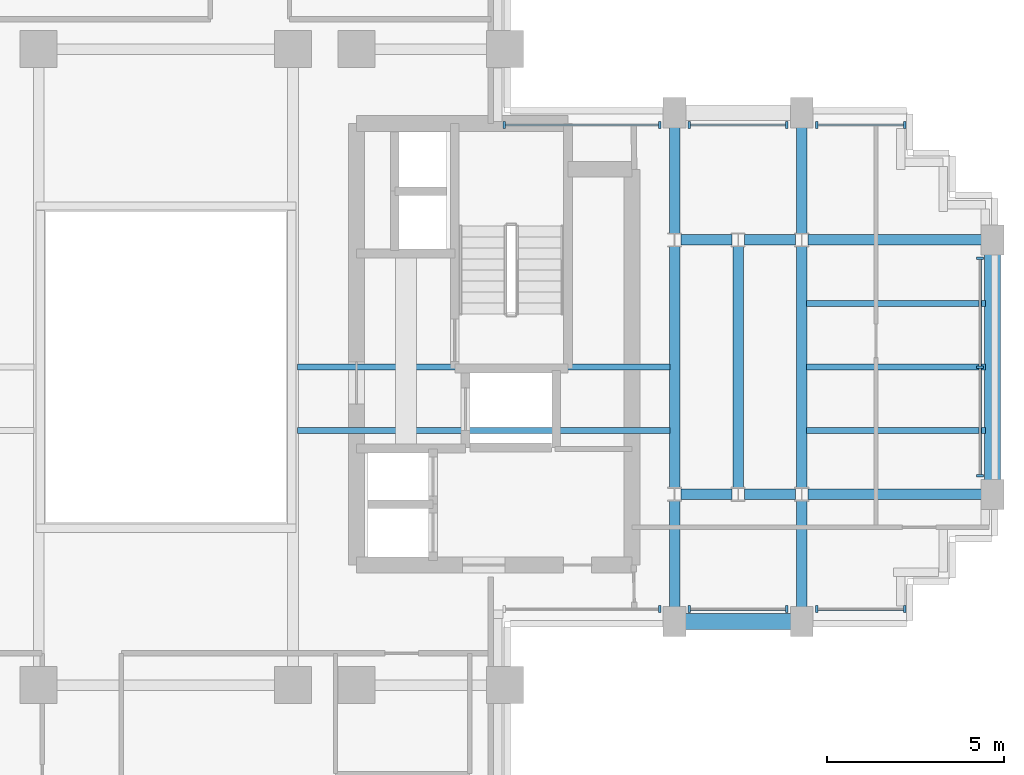
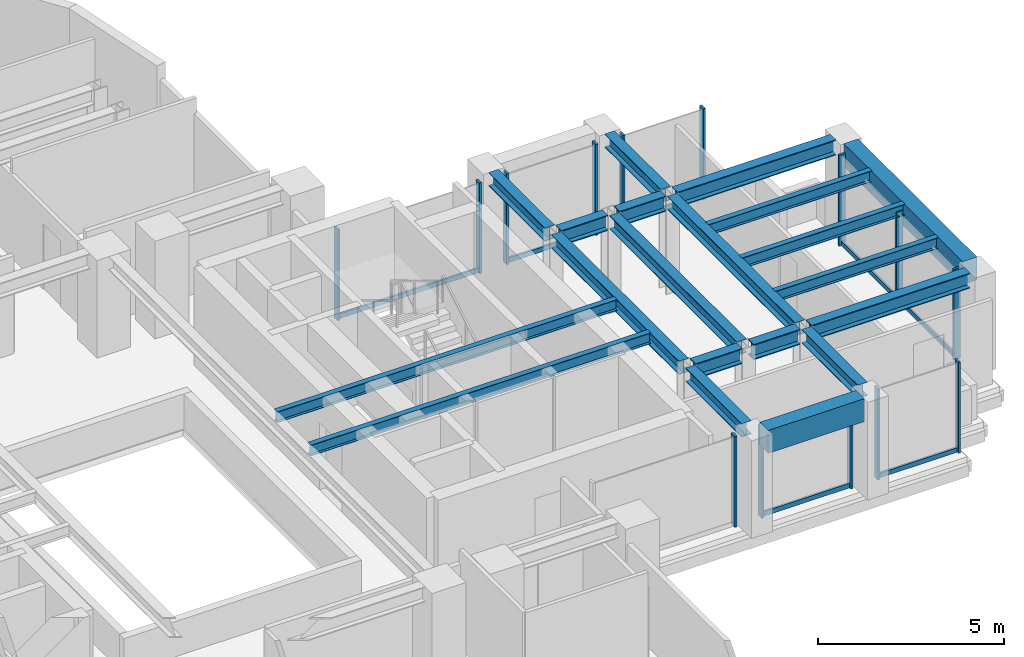
# One storey, part 5 of 14: 21 members, 20 beams, 7 elements without a shape of their own.
"""IFC4 building model written with IfcOpenShell, lengths in metres."""

from ifc_helpers import new_model, si_unit, direction, frame, origin, origin_2d, place, context, subcontext, project, spatial, rectangle, i_section, extrude, source, transform, mapped, material, material_profile, profile_set, type_object, element, aggregate, save


model = new_model("IFC4")

# Units and contexts
model_context = context("Model", 3, precision=1e-05, world=origin(), true_north=direction((0.0, 1.0)))
body_context = subcontext(model_context, "Body", "Model", "MODEL_VIEW")
ifc_project = project(units=[si_unit("LENGTHUNIT", "METRE"), si_unit("AREAUNIT", "SQUARE_METRE"), si_unit("VOLUMEUNIT", "CUBIC_METRE"), si_unit("PLANEANGLEUNIT", "RADIAN"), si_unit("MASSUNIT", "GRAM", prefix="KILO")], contexts=[model_context])

# Site, building, storey
site_placement = place(None, origin())
site = spatial("IfcSite", under=ifc_project, at=site_placement, CompositionType="ELEMENT")
building_placement = place(site_placement, origin())
building = spatial("IfcBuilding", under=site, at=building_placement, Name="Keilestroom Media Tower", CompositionType="ELEMENT")
storey_placement = place(building_placement, frame((0.0, 0.0, 110.800048828125)))
storey = spatial("IfcBuildingStorey", under=building, at=storey_placement, Name="L29", CompositionType="ELEMENT", Elevation=110.800048828125)

# Beams
ifc_material_1 = material(Name="Steel S355", Category="steel")
ifc_material_profile_1 = material_profile(ifc_material_1, i_section(OverallWidth=0.169921875, OverallDepth=0.360107421875, WebThickness=0.008056640625, FlangeThickness=0.0126953125, at=origin_2d()), Name="IPE 360")
ifc_profile_set_1 = profile_set([ifc_material_profile_1], Name="Steel S355")
beam_type_1 = type_object("IfcBeamType", Name="Secondary-Floor-Joist-IPE-360", PredefinedType="JOIST", material=ifc_profile_set_1)
shared_shape_1 = source(origin(), body_context, "Body", "SweptSolid", [
    extrude(i_section(OverallWidth=0.169921875, OverallDepth=0.360107421875, WebThickness=0.008056640625, FlangeThickness=0.0126953125, at=origin_2d()), origin(), (0.0, 0.0, 1.0), 10.5400390625),
])
for number, where, z_axis, x_axis, name in (
    (1, (3.72998046875, -1.800048828125, 3.02001953125), (1.0, 0.0, 0.0), (0.0, 1.0, 0.0), "L29 Beam BJ-5 JST-L29-074"),
    (2, (3.72998046875, 0.0, 3.02001953125), (1.0, 0.0, 0.0), (0.0, 1.0, 0.0), "L29 Beam BJ-5 JST-L29-079"),
):
    element("IfcBeam", number, at=place(storey_placement, frame(where, z_axis=z_axis, x_axis=x_axis)), inside=storey, type_object=beam_type_1, Name=name, PredefinedType="JOIST", context=body_context, shape_type="MappedRepresentation", body=[
        mapped(shared_shape_1, transform((0.0, 0.0, 0.0), x_axis=(1.0, 0.0, 0.0), y_axis=(0.0, 1.0, 0.0), z_axis=(0.0, 0.0, 1.0), scale=1.0)),
    ])
ifc_material_2 = material(Name="Precast concrete C40/50", Category="concrete")
ifc_material_profile_2 = material_profile(ifc_material_2, rectangle(XDim=0.449951171875, YDim=0.75, at=origin_2d()), Name="PC 450x750")
ifc_profile_set_2 = profile_set([ifc_material_profile_2], Name="Precast concrete C40/50")
beam_type_2 = type_object("IfcBeamType", Name="Perimeter-Spandrel-Beam-PC-450x750", PredefinedType="SPANDREL", material=ifc_profile_set_2)
shared_shape_2 = source(origin(), body_context, "Body", "SweptSolid", [
    extrude(rectangle(XDim=0.449951171875, YDim=0.75, at=origin_2d()), origin(), (0.0, 0.0, 1.0), 2.989990234375),
])
beam_1_placement = place(storey_placement, frame((14.705078125, -7.199951171875, 2.824951171875), z_axis=(1.0, 0.0, 0.0), x_axis=(0.0, 1.0, 0.0)))
element("IfcBeam", 3, at=beam_1_placement, inside=storey, type_object=beam_type_2, Name="L29 Beam SPB-1 BM-L29-EW-013", PredefinedType="SPANDREL", context=body_context, shape_type="MappedRepresentation", body=[
    mapped(shared_shape_2, transform((0.0, 0.0, 0.0), x_axis=(1.0, 0.0, 0.0), y_axis=(0.0, 1.0, 0.0), z_axis=(0.0, 0.0, 1.0), scale=1.0)),
])
ifc_material_profile_3 = material_profile(ifc_material_1, i_section(OverallWidth=0.300048828125, OverallDepth=0.5, WebThickness=0.012451171875, FlangeThickness=0.028076171875, at=origin_2d()), Name="HEB 500")
ifc_profile_set_3 = profile_set([ifc_material_profile_3], Name="Steel S355")
beam_type_3 = type_object("IfcBeamType", Name="Primary-Structural-Girder-HEB-500", PredefinedType="BEAM", material=ifc_profile_set_3)
shared_shape_3 = source(origin(), body_context, "Body", "SweptSolid", [
    extrude(i_section(OverallWidth=0.300048828125, OverallDepth=0.5, WebThickness=0.012451171875, FlangeThickness=0.028076171875, at=origin_2d()), origin(), (0.0, 0.0, 1.0), 4.91455078125),
])
for number, where, z_axis, x_axis, name in (
    (4, (18.180419921875, -3.60009765625, 2.949951171875), (1.0, 0.0, 0.0), (0.0, 1.0, 0.0), "L29 Beam BG-6 BM-L29-EW-019"),
    (5, (18.180419921875, 3.60009765625, 2.949951171875), (1.0, 0.0, 0.0), (0.0, 1.0, 0.0), "L29 Beam BG-6 BM-L29-EW-025"),
):
    element("IfcBeam", number, at=place(storey_placement, frame(where, z_axis=z_axis, x_axis=x_axis)), inside=storey, type_object=beam_type_3, Name=name, PredefinedType="BEAM", context=body_context, shape_type="MappedRepresentation", body=[
        mapped(shared_shape_3, transform((0.0, 0.0, 0.0), x_axis=(1.0, 0.0, 0.0), y_axis=(0.0, 1.0, 0.0), z_axis=(0.0, 0.0, 1.0), scale=1.0)),
    ])
shared_shape_4 = source(origin(), body_context, "Body", "SweptSolid", [
    extrude(i_section(OverallWidth=0.300048828125, OverallDepth=0.5, WebThickness=0.012451171875, FlangeThickness=0.028076171875, at=origin_2d()), origin(), (0.0, 0.0, 1.0), 1.43896484375),
])
for number, where, z_axis, x_axis, name in (
    (6, (14.58056640625, -3.60009765625, 2.949951171875), (1.0, 0.0, 0.0), (0.0, 1.0, 0.0), "L29 Beam BG-6 BM-L29-EW-017"),
    (7, (16.380615234375, -3.60009765625, 2.949951171875), (1.0, 0.0, 0.0), (0.0, 1.0, 0.0), "L29 Beam BG-6 BM-L29-EW-018"),
    (8, (14.58056640625, 3.60009765625, 2.949951171875), (1.0, 0.0, 0.0), (0.0, 1.0, 0.0), "L29 Beam BG-6 BM-L29-EW-023"),
    (9, (16.380615234375, 3.60009765625, 2.949951171875), (1.0, 0.0, 0.0), (0.0, 1.0, 0.0), "L29 Beam BG-6 BM-L29-EW-024"),
):
    element("IfcBeam", number, at=place(storey_placement, frame(where, z_axis=z_axis, x_axis=x_axis)), inside=storey, type_object=beam_type_3, Name=name, PredefinedType="BEAM", context=body_context, shape_type="MappedRepresentation", body=[
        mapped(shared_shape_4, transform((0.0, 0.0, 0.0), x_axis=(1.0, 0.0, 0.0), y_axis=(0.0, 1.0, 0.0), z_axis=(0.0, 0.0, 1.0), scale=1.0)),
    ])
shared_shape_5 = source(origin(), body_context, "Body", "SweptSolid", [
    extrude(rectangle(XDim=0.449951171875, YDim=0.75, at=origin_2d()), origin(), (0.0, 0.0, 1.0), 6.39013671875),
])
beam_2_placement = place(storey_placement, frame((23.39990234375, -3.195068359375, 2.824951171875), z_axis=(0.0, 1.0, 0.0), x_axis=(-1.0, 0.0, 0.0)))
element("IfcBeam", 10, at=beam_2_placement, inside=storey, type_object=beam_type_2, Name="L29 Beam SPB-1 BM-L29-NS-068", PredefinedType="SPANDREL", context=body_context, shape_type="MappedRepresentation", body=[
    mapped(shared_shape_5, transform((0.0, 0.0, 0.0), x_axis=(1.0, 0.0, 0.0), y_axis=(0.0, 1.0, 0.0), z_axis=(0.0, 0.0, 1.0), scale=1.0)),
])
shared_shape_6 = source(origin(), body_context, "Body", "SweptSolid", [
    extrude(i_section(OverallWidth=0.169921875, OverallDepth=0.360107421875, WebThickness=0.008056640625, FlangeThickness=0.0126953125, at=origin_2d()), origin(), (0.0, 0.0, 1.0), 5.065185546875),
])
for number, where, z_axis, x_axis, name in (
    (11, (18.1298828125, -1.800048828125, 3.02001953125), (1.0, 0.0, 0.0), (0.0, 1.0, 0.0), "L29 Beam BJ-5 JST-L29-075"),
    (12, (18.1298828125, 0.0, 3.02001953125), (1.0, 0.0, 0.0), (0.0, 1.0, 0.0), "L29 Beam BJ-5 JST-L29-080"),
    (13, (18.1298828125, 1.800048828125, 3.02001953125), (1.0, 0.0, 0.0), (0.0, 1.0, 0.0), "L29 Beam BJ-5 JST-L29-085"),
):
    element("IfcBeam", number, at=place(storey_placement, frame(where, z_axis=z_axis, x_axis=x_axis)), inside=storey, type_object=beam_type_1, Name=name, PredefinedType="JOIST", context=body_context, shape_type="MappedRepresentation", body=[
        mapped(shared_shape_6, transform((0.0, 0.0, 0.0), x_axis=(1.0, 0.0, 0.0), y_axis=(0.0, 1.0, 0.0), z_axis=(0.0, 0.0, 1.0), scale=1.0)),
    ])
ifc_material_profile_4 = material_profile(ifc_material_1, i_section(OverallWidth=0.300048828125, OverallDepth=0.43994140625, WebThickness=0.011474609375, FlangeThickness=0.02099609375, at=origin_2d()), Name="HEA 450")
ifc_profile_set_4 = profile_set([ifc_material_profile_4], Name="Steel S355")
beam_type_4 = type_object("IfcBeamType", Name="Primary-Structural-Girder-HEA-450", PredefinedType="BEAM", material=ifc_profile_set_4)
shared_shape_7 = source(origin(), body_context, "Body", "SweptSolid", [
    extrude(i_section(OverallWidth=0.300048828125, OverallDepth=0.43994140625, WebThickness=0.011474609375, FlangeThickness=0.02099609375, at=origin_2d()), origin(), (0.0, 0.0, 1.0), 3.015380859375),
])
for number, where, z_axis, x_axis, name in (
    (14, (14.39990234375, -6.794921875, 2.97998046875), (0.0, 1.0, 0.0), (-1.0, 0.0, 0.0), "L29 Beam BG-11 BM-L29-NS-061"),
    (15, (14.39990234375, 3.779541015625, 2.97998046875), (0.0, 1.0, 0.0), (-1.0, 0.0, 0.0), "L29 Beam BG-11 BM-L29-NS-063"),
    (16, (18.0, -6.794921875, 2.97998046875), (0.0, 1.0, 0.0), (-1.0, 0.0, 0.0), "L29 Beam BG-11 BM-L29-NS-065"),
    (17, (18.0, 3.779541015625, 2.97998046875), (0.0, 1.0, 0.0), (-1.0, 0.0, 0.0), "L29 Beam BG-11 BM-L29-NS-067"),
):
    element("IfcBeam", number, at=place(storey_placement, frame(where, z_axis=z_axis, x_axis=x_axis)), inside=storey, type_object=beam_type_4, Name=name, PredefinedType="BEAM", context=body_context, shape_type="MappedRepresentation", body=[
        mapped(shared_shape_7, transform((0.0, 0.0, 0.0), x_axis=(1.0, 0.0, 0.0), y_axis=(0.0, 1.0, 0.0), z_axis=(0.0, 0.0, 1.0), scale=1.0)),
    ])
shared_shape_8 = source(origin(), body_context, "Body", "SweptSolid", [
    extrude(i_section(OverallWidth=0.300048828125, OverallDepth=0.43994140625, WebThickness=0.011474609375, FlangeThickness=0.02099609375, at=origin_2d()), origin(), (0.0, 0.0, 1.0), 6.8408203125),
])
for number, where, z_axis, x_axis, name in (
    (18, (14.39990234375, -3.42041015625, 2.97998046875), (0.0, 1.0, 0.0), (-1.0, 0.0, 0.0), "L29 Beam BG-11 BM-L29-NS-062"),
    (19, (16.199951171875, -3.42041015625, 2.97998046875), (0.0, 1.0, 0.0), (-1.0, 0.0, 0.0), "L29 Beam BG-11 BM-L29-NS-064"),
    (20, (18.0, -3.42041015625, 2.97998046875), (0.0, 1.0, 0.0), (-1.0, 0.0, 0.0), "L29 Beam BG-11 BM-L29-NS-066"),
):
    element("IfcBeam", number, at=place(storey_placement, frame(where, z_axis=z_axis, x_axis=x_axis)), inside=storey, type_object=beam_type_4, Name=name, PredefinedType="BEAM", context=body_context, shape_type="MappedRepresentation", body=[
        mapped(shared_shape_8, transform((0.0, 0.0, 0.0), x_axis=(1.0, 0.0, 0.0), y_axis=(0.0, 1.0, 0.0), z_axis=(0.0, 0.0, 1.0), scale=1.0)),
    ])

# Curtain wall, members
ifc_material_3 = material(Name="Anodised Aluminium Alloy", Category="aluminium")
curtain_wall_type = type_object("IfcCurtainWallType", Name="Unitised-Curtain-Wall-CW-2", PredefinedType="NOTDEFINED", material=ifc_material_3)
curtain_wall_1_placement = place(storey_placement, origin())
curtain_wall_1 = element("IfcCurtainWall", 21, at=curtain_wall_1_placement, inside=storey, type_object=curtain_wall_type, Name="L29 Curtain Wall CW-2 CW-L29-E-1", PredefinedType="NOTDEFINED")
ifc_material_profile_5 = material_profile(ifc_material_3, rectangle(XDim=0.070068359375, YDim=0.199951171875, at=origin_2d()), Name="ALU MULLION 70x200")
ifc_profile_set_5 = profile_set([ifc_material_profile_5], Name="Anodised Aluminium Alloy")
member_type_1 = type_object("IfcMemberType", Name="Curtain-Wall-Mullion-CW-2", PredefinedType="MULLION", material=ifc_profile_set_5)
shared_shape_9 = source(origin(), body_context, "Body", "SweptSolid", [
    extrude(rectangle(XDim=0.070068359375, YDim=0.199951171875, at=origin_2d()), origin(), (0.0, 0.0, 1.0), 2.97998046875),
])
member_1_placement = place(storey_placement, frame((23.050048828125, -3.080078125, 0.0), z_axis=(0.0, 0.0, 1.0), x_axis=(0.0, 1.0, 0.0)))
member_1 = element("IfcMember", 22, at=member_1_placement, type_object=member_type_1, Name="CW-2 Mullion 00", PredefinedType="MULLION", context=body_context, shape_type="MappedRepresentation", body=[
    mapped(shared_shape_9, transform((0.0, 0.0, 0.0), x_axis=(1.0, 0.0, 0.0), y_axis=(0.0, 1.0, 0.0), z_axis=(0.0, 0.0, 1.0), scale=1.0)),
])
member_2_placement = place(storey_placement, frame((23.050048828125, 0.0, 0.0), z_axis=(0.0, 0.0, 1.0), x_axis=(0.0, 1.0, 0.0)))
member_2 = element("IfcMember", 23, at=member_2_placement, type_object=member_type_1, Name="CW-2 Mullion 01", PredefinedType="MULLION", context=body_context, shape_type="MappedRepresentation", body=[
    mapped(shared_shape_9, transform((0.0, 0.0, 0.0), x_axis=(1.0, 0.0, 0.0), y_axis=(0.0, 1.0, 0.0), z_axis=(0.0, 0.0, 1.0), scale=1.0)),
])
member_3_placement = place(storey_placement, frame((23.050048828125, 3.080078125, 0.0), z_axis=(0.0, 0.0, 1.0), x_axis=(0.0, 1.0, 0.0)))
member_3 = element("IfcMember", 24, at=member_3_placement, type_object=member_type_1, Name="CW-2 Mullion 02", PredefinedType="MULLION", context=body_context, shape_type="MappedRepresentation", body=[
    mapped(shared_shape_9, transform((0.0, 0.0, 0.0), x_axis=(1.0, 0.0, 0.0), y_axis=(0.0, 1.0, 0.0), z_axis=(0.0, 0.0, 1.0), scale=1.0)),
])

curtain_wall_2_placement = place(storey_placement, origin())
curtain_wall_2 = element("IfcCurtainWall", 25, at=curtain_wall_2_placement, inside=storey, type_object=curtain_wall_type, Name="L29 Curtain Wall CW-2 CW-L29-NE-1", PredefinedType="NOTDEFINED")
member_4_placement = place(storey_placement, frame((9.5849609375, 6.85009765625, 0.0), z_axis=(0.0, 0.0, 1.0), x_axis=(1.0, 0.0, 0.0)))
member_4 = element("IfcMember", 26, at=member_4_placement, type_object=member_type_1, Name="CW-2 Mullion 00", PredefinedType="MULLION", context=body_context, shape_type="MappedRepresentation", body=[
    mapped(shared_shape_9, transform((0.0, 0.0, 0.0), x_axis=(1.0, 0.0, 0.0), y_axis=(0.0, 1.0, 0.0), z_axis=(0.0, 0.0, 1.0), scale=1.0)),
])
member_5_placement = place(storey_placement, frame((13.97998046875, 6.85009765625, 0.0), z_axis=(0.0, 0.0, 1.0), x_axis=(1.0, 0.0, 0.0)))
member_5 = element("IfcMember", 27, at=member_5_placement, type_object=member_type_1, Name="CW-2 Mullion 01", PredefinedType="MULLION", context=body_context, shape_type="MappedRepresentation", body=[
    mapped(shared_shape_9, transform((0.0, 0.0, 0.0), x_axis=(1.0, 0.0, 0.0), y_axis=(0.0, 1.0, 0.0), z_axis=(0.0, 0.0, 1.0), scale=1.0)),
])

curtain_wall_3_placement = place(storey_placement, origin())
curtain_wall_3 = element("IfcCurtainWall", 28, at=curtain_wall_3_placement, inside=storey, type_object=curtain_wall_type, Name="L29 Curtain Wall CW-2 CW-L29-NE-2", PredefinedType="NOTDEFINED")
member_6_placement = place(storey_placement, frame((14.820068359375, 6.85009765625, 0.0), z_axis=(0.0, 0.0, 1.0), x_axis=(1.0, 0.0, 0.0)))
member_6 = element("IfcMember", 29, at=member_6_placement, type_object=member_type_1, Name="CW-2 Mullion 00", PredefinedType="MULLION", context=body_context, shape_type="MappedRepresentation", body=[
    mapped(shared_shape_9, transform((0.0, 0.0, 0.0), x_axis=(1.0, 0.0, 0.0), y_axis=(0.0, 1.0, 0.0), z_axis=(0.0, 0.0, 1.0), scale=1.0)),
])
member_7_placement = place(storey_placement, frame((17.580078125, 6.85009765625, 0.0), z_axis=(0.0, 0.0, 1.0), x_axis=(1.0, 0.0, 0.0)))
member_7 = element("IfcMember", 30, at=member_7_placement, type_object=member_type_1, Name="CW-2 Mullion 01", PredefinedType="MULLION", context=body_context, shape_type="MappedRepresentation", body=[
    mapped(shared_shape_9, transform((0.0, 0.0, 0.0), x_axis=(1.0, 0.0, 0.0), y_axis=(0.0, 1.0, 0.0), z_axis=(0.0, 0.0, 1.0), scale=1.0)),
])

curtain_wall_4_placement = place(storey_placement, origin())
curtain_wall_4 = element("IfcCurtainWall", 31, at=curtain_wall_4_placement, inside=storey, type_object=curtain_wall_type, Name="L29 Curtain Wall CW-2 CW-L29-NE-3", PredefinedType="NOTDEFINED")
member_8_placement = place(storey_placement, frame((18.419921875, 6.85009765625, 0.0), z_axis=(0.0, 0.0, 1.0), x_axis=(1.0, 0.0, 0.0)))
member_8 = element("IfcMember", 32, at=member_8_placement, type_object=member_type_1, Name="CW-2 Mullion 00", PredefinedType="MULLION", context=body_context, shape_type="MappedRepresentation", body=[
    mapped(shared_shape_9, transform((0.0, 0.0, 0.0), x_axis=(1.0, 0.0, 0.0), y_axis=(0.0, 1.0, 0.0), z_axis=(0.0, 0.0, 1.0), scale=1.0)),
])
member_9_placement = place(storey_placement, frame((20.9150390625, 6.85009765625, 0.0), z_axis=(0.0, 0.0, 1.0), x_axis=(1.0, 0.0, 0.0)))
member_9 = element("IfcMember", 33, at=member_9_placement, type_object=member_type_1, Name="CW-2 Mullion 01", PredefinedType="MULLION", context=body_context, shape_type="MappedRepresentation", body=[
    mapped(shared_shape_9, transform((0.0, 0.0, 0.0), x_axis=(1.0, 0.0, 0.0), y_axis=(0.0, 1.0, 0.0), z_axis=(0.0, 0.0, 1.0), scale=1.0)),
])

# Curtain wall, member
curtain_wall_5_placement = place(storey_placement, origin())
curtain_wall_5 = element("IfcCurtainWall", 34, at=curtain_wall_5_placement, inside=storey, type_object=curtain_wall_type, Name="L29 Curtain Wall CW-2 CW-L29-SE-1", PredefinedType="NOTDEFINED")
member_10_placement = place(storey_placement, frame((13.97998046875, -6.85009765625, 0.0), z_axis=(0.0, 0.0, 1.0), x_axis=(1.0, 0.0, 0.0)))
member_10 = element("IfcMember", 35, at=member_10_placement, type_object=member_type_1, Name="CW-2 Mullion 01", PredefinedType="MULLION", context=body_context, shape_type="MappedRepresentation", body=[
    mapped(shared_shape_9, transform((0.0, 0.0, 0.0), x_axis=(1.0, 0.0, 0.0), y_axis=(0.0, 1.0, 0.0), z_axis=(0.0, 0.0, 1.0), scale=1.0)),
])
aggregate(curtain_wall_5, [member_10])

# Curtain wall, members
curtain_wall_6_placement = place(storey_placement, origin())
curtain_wall_6 = element("IfcCurtainWall", 36, at=curtain_wall_6_placement, inside=storey, type_object=curtain_wall_type, Name="L29 Curtain Wall CW-2 CW-L29-SE-2", PredefinedType="NOTDEFINED")
member_11_placement = place(storey_placement, frame((14.820068359375, -6.85009765625, 0.0), z_axis=(0.0, 0.0, 1.0), x_axis=(1.0, 0.0, 0.0)))
member_11 = element("IfcMember", 37, at=member_11_placement, type_object=member_type_1, Name="CW-2 Mullion 00", PredefinedType="MULLION", context=body_context, shape_type="MappedRepresentation", body=[
    mapped(shared_shape_9, transform((0.0, 0.0, 0.0), x_axis=(1.0, 0.0, 0.0), y_axis=(0.0, 1.0, 0.0), z_axis=(0.0, 0.0, 1.0), scale=1.0)),
])
member_12_placement = place(storey_placement, frame((17.580078125, -6.85009765625, 0.0), z_axis=(0.0, 0.0, 1.0), x_axis=(1.0, 0.0, 0.0)))
member_12 = element("IfcMember", 38, at=member_12_placement, type_object=member_type_1, Name="CW-2 Mullion 01", PredefinedType="MULLION", context=body_context, shape_type="MappedRepresentation", body=[
    mapped(shared_shape_9, transform((0.0, 0.0, 0.0), x_axis=(1.0, 0.0, 0.0), y_axis=(0.0, 1.0, 0.0), z_axis=(0.0, 0.0, 1.0), scale=1.0)),
])

curtain_wall_7_placement = place(storey_placement, origin())
curtain_wall_7 = element("IfcCurtainWall", 39, at=curtain_wall_7_placement, inside=storey, type_object=curtain_wall_type, Name="L29 Curtain Wall CW-2 CW-L29-SE-3", PredefinedType="NOTDEFINED")
member_13_placement = place(storey_placement, frame((18.419921875, -6.85009765625, 0.0), z_axis=(0.0, 0.0, 1.0), x_axis=(1.0, 0.0, 0.0)))
member_13 = element("IfcMember", 40, at=member_13_placement, type_object=member_type_1, Name="CW-2 Mullion 00", PredefinedType="MULLION", context=body_context, shape_type="MappedRepresentation", body=[
    mapped(shared_shape_9, transform((0.0, 0.0, 0.0), x_axis=(1.0, 0.0, 0.0), y_axis=(0.0, 1.0, 0.0), z_axis=(0.0, 0.0, 1.0), scale=1.0)),
])
member_14_placement = place(storey_placement, frame((20.9150390625, -6.85009765625, 0.0), z_axis=(0.0, 0.0, 1.0), x_axis=(1.0, 0.0, 0.0)))
member_14 = element("IfcMember", 41, at=member_14_placement, type_object=member_type_1, Name="CW-2 Mullion 01", PredefinedType="MULLION", context=body_context, shape_type="MappedRepresentation", body=[
    mapped(shared_shape_9, transform((0.0, 0.0, 0.0), x_axis=(1.0, 0.0, 0.0), y_axis=(0.0, 1.0, 0.0), z_axis=(0.0, 0.0, 1.0), scale=1.0)),
])

# Member
ifc_material_profile_6 = material_profile(ifc_material_3, rectangle(XDim=0.06494140625, YDim=0.14990234375, at=origin_2d()), Name="ALU TRANSOM 65x150")
ifc_profile_set_6 = profile_set([ifc_material_profile_6], Name="Anodised Aluminium Alloy")
member_type_2 = type_object("IfcMemberType", Name="Curtain-Wall-Transom-CW-2", PredefinedType="USERDEFINED", material=ifc_profile_set_6)
shared_shape_10 = source(origin(), body_context, "Body", "SweptSolid", [
    extrude(rectangle(XDim=0.06494140625, YDim=0.14990234375, at=origin_2d()), origin(), (0.0, 0.0, 1.0), 2.42919921875),
])
member_15_placement = place(storey_placement, frame((18.452880859375, 6.85009765625, 0.074951171875), z_axis=(1.0, 0.0, 0.0), x_axis=(0.0, 1.0, 0.0)))
member_15 = element("IfcMember", 42, at=member_15_placement, type_object=member_type_2, Name="CW-2 Transom 00.1", ObjectType="TRANSOM", PredefinedType="USERDEFINED", context=body_context, shape_type="MappedRepresentation", body=[
    mapped(shared_shape_10, transform((0.0, 0.0, 0.0), x_axis=(1.0, 0.0, 0.0), y_axis=(0.0, 1.0, 0.0), z_axis=(0.0, 0.0, 1.0), scale=1.0)),
])

aggregate(curtain_wall_4, [member_8, member_9, member_15])

member_16_placement = place(storey_placement, frame((18.452880859375, -6.85009765625, 0.074951171875), z_axis=(1.0, 0.0, 0.0), x_axis=(0.0, 1.0, 0.0)))
member_16 = element("IfcMember", 43, at=member_16_placement, type_object=member_type_2, Name="CW-2 Transom 00.1", ObjectType="TRANSOM", PredefinedType="USERDEFINED", context=body_context, shape_type="MappedRepresentation", body=[
    mapped(shared_shape_10, transform((0.0, 0.0, 0.0), x_axis=(1.0, 0.0, 0.0), y_axis=(0.0, 1.0, 0.0), z_axis=(0.0, 0.0, 1.0), scale=1.0)),
])

aggregate(curtain_wall_7, [member_13, member_14, member_16])

shared_shape_11 = source(origin(), body_context, "Body", "SweptSolid", [
    extrude(rectangle(XDim=0.06494140625, YDim=0.14990234375, at=origin_2d()), origin(), (0.0, 0.0, 1.0), 2.694091796875),
])
member_17_placement = place(storey_placement, frame((14.85302734375, 6.85009765625, 0.074951171875), z_axis=(1.0, 0.0, 0.0), x_axis=(0.0, 1.0, 0.0)))
member_17 = element("IfcMember", 44, at=member_17_placement, type_object=member_type_2, Name="CW-2 Transom 00.1", ObjectType="TRANSOM", PredefinedType="USERDEFINED", context=body_context, shape_type="MappedRepresentation", body=[
    mapped(shared_shape_11, transform((0.0, 0.0, 0.0), x_axis=(1.0, 0.0, 0.0), y_axis=(0.0, 1.0, 0.0), z_axis=(0.0, 0.0, 1.0), scale=1.0)),
])

aggregate(curtain_wall_3, [member_6, member_7, member_17])

member_18_placement = place(storey_placement, frame((14.85302734375, -6.85009765625, 0.074951171875), z_axis=(1.0, 0.0, 0.0), x_axis=(0.0, 1.0, 0.0)))
member_18 = element("IfcMember", 45, at=member_18_placement, type_object=member_type_2, Name="CW-2 Transom 00.1", ObjectType="TRANSOM", PredefinedType="USERDEFINED", context=body_context, shape_type="MappedRepresentation", body=[
    mapped(shared_shape_11, transform((0.0, 0.0, 0.0), x_axis=(1.0, 0.0, 0.0), y_axis=(0.0, 1.0, 0.0), z_axis=(0.0, 0.0, 1.0), scale=1.0)),
])

aggregate(curtain_wall_6, [member_11, member_12, member_18])

shared_shape_12 = source(origin(), body_context, "Body", "SweptSolid", [
    extrude(rectangle(XDim=0.06494140625, YDim=0.14990234375, at=origin_2d()), origin(), (0.0, 0.0, 1.0), 4.3291015625),
])
member_19_placement = place(storey_placement, frame((9.617919921875, 6.85009765625, 0.074951171875), z_axis=(1.0, 0.0, 0.0), x_axis=(0.0, 1.0, 0.0)))
member_19 = element("IfcMember", 46, at=member_19_placement, type_object=member_type_2, Name="CW-2 Transom 00.1", ObjectType="TRANSOM", PredefinedType="USERDEFINED", context=body_context, shape_type="MappedRepresentation", body=[
    mapped(shared_shape_12, transform((0.0, 0.0, 0.0), x_axis=(1.0, 0.0, 0.0), y_axis=(0.0, 1.0, 0.0), z_axis=(0.0, 0.0, 1.0), scale=1.0)),
])

aggregate(curtain_wall_2, [member_4, member_5, member_19])

shared_shape_13 = source(origin(), body_context, "Body", "SweptSolid", [
    extrude(rectangle(XDim=0.06494140625, YDim=0.14990234375, at=origin_2d()), origin(), (0.0, 0.0, 1.0), 3.01416015625),
])
member_20_placement = place(storey_placement, frame((23.050048828125, -3.047119140625, 0.074951171875), z_axis=(0.0, 1.0, 0.0), x_axis=(-1.0, 0.0, 0.0)))
member_20 = element("IfcMember", 47, at=member_20_placement, type_object=member_type_2, Name="CW-2 Transom 00.1", ObjectType="TRANSOM", PredefinedType="USERDEFINED", context=body_context, shape_type="MappedRepresentation", body=[
    mapped(shared_shape_13, transform((0.0, 0.0, 0.0), x_axis=(1.0, 0.0, 0.0), y_axis=(0.0, 1.0, 0.0), z_axis=(0.0, 0.0, 1.0), scale=1.0)),
])

member_21_placement = place(storey_placement, frame((23.050048828125, 0.032958984375, 0.074951171875), z_axis=(0.0, 1.0, 0.0), x_axis=(-1.0, 0.0, 0.0)))
member_21 = element("IfcMember", 48, at=member_21_placement, type_object=member_type_2, Name="CW-2 Transom 01.1", ObjectType="TRANSOM", PredefinedType="USERDEFINED", context=body_context, shape_type="MappedRepresentation", body=[
    mapped(shared_shape_13, transform((0.0, 0.0, 0.0), x_axis=(1.0, 0.0, 0.0), y_axis=(0.0, 1.0, 0.0), z_axis=(0.0, 0.0, 1.0), scale=1.0)),
])

aggregate(curtain_wall_1, [member_1, member_2, member_3, member_20, member_21])

save(model, "model.ifc")
